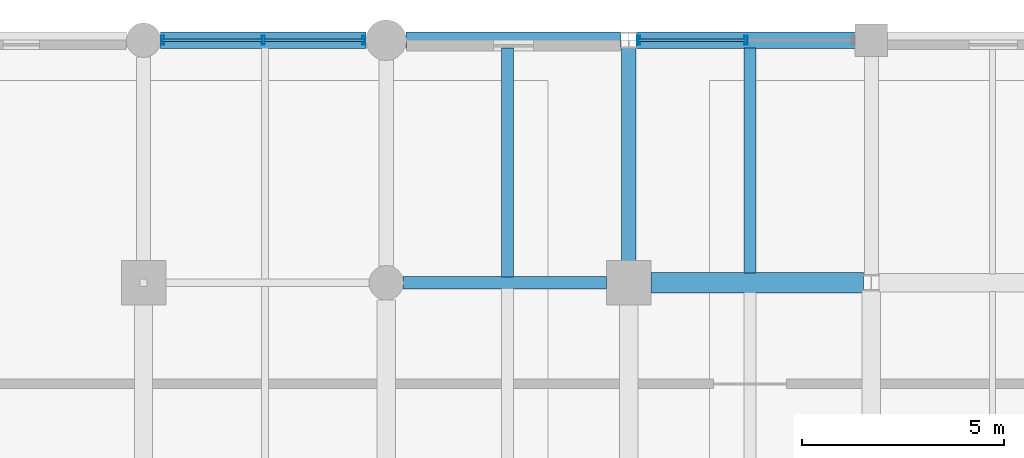
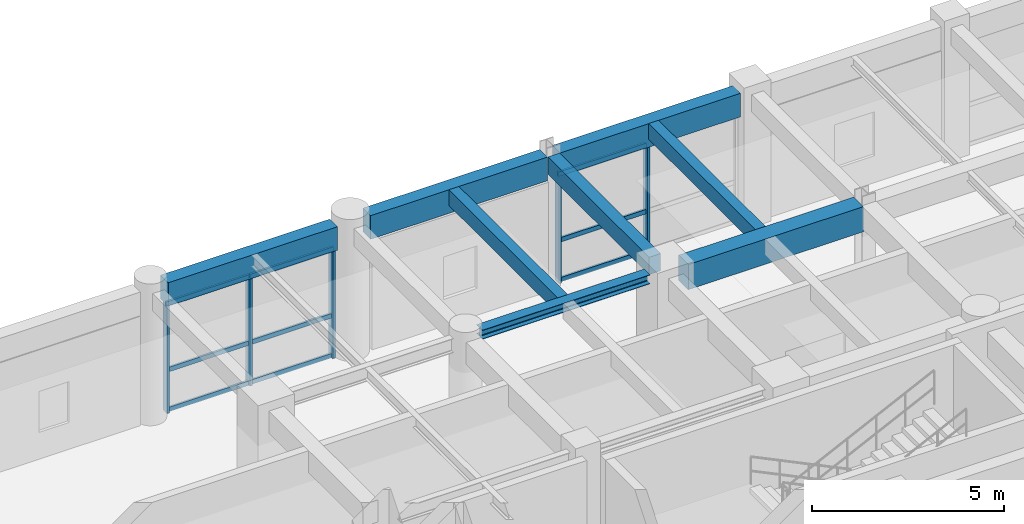
# One storey, part 53 of 133: 14 members, 8 beams, 2 elements without a shape of their own.
"""IFC4 building model written with IfcOpenShell, lengths in metres."""

from ifc_helpers import new_model, si_unit, direction, frame, origin, origin_2d, place, context, subcontext, project, spatial, rectangle, hollow_rectangle, i_section, extrude, material, material_profile, profile_set, type_object, element, aggregate, save


model = new_model("IFC4")

# Units and contexts
model_context = context("Model", 3, precision=1e-05, world=origin(), true_north=direction((0.0, 1.0)))
body_context = subcontext(model_context, "Body", "Model", "MODEL_VIEW")
ifc_project = project(units=[si_unit("LENGTHUNIT", "METRE"), si_unit("AREAUNIT", "SQUARE_METRE"), si_unit("VOLUMEUNIT", "CUBIC_METRE"), si_unit("PLANEANGLEUNIT", "RADIAN"), si_unit("MASSUNIT", "GRAM", prefix="KILO"), si_unit("THERMODYNAMICTEMPERATUREUNIT", "KELVIN"), si_unit("POWERUNIT", "WATT")], contexts=[model_context])

# Site, building, storey
site_placement = place(None, origin())
site = spatial("IfcSite", under=ifc_project, at=site_placement, CompositionType="ELEMENT")
building_placement = place(site_placement, origin())
building = spatial("IfcBuilding", under=site, at=building_placement, Name="Phaisarnlok Congress Hotel", CompositionType="ELEMENT")
storey_placement = place(building_placement, frame((0.0, 0.0, 6.0)))
storey = spatial("IfcBuildingStorey", under=building, at=storey_placement, Name="L01", CompositionType="ELEMENT", Elevation=6.0)

# Beams
ifc_material_1 = material(Name="Concrete C40/50", Category="concrete")
ifc_material_profile_1 = material_profile(ifc_material_1, rectangle(XDim=0.35009765625, YDim=0.550048828125, at=origin_2d()), Name="RC 350x550")
ifc_profile_set_1 = profile_set([ifc_material_profile_1], Name="Concrete C40/50")
beam_type_1 = type_object("IfcBeamType", Name="BM-RC-350x550", PredefinedType="BEAM", material=ifc_profile_set_1)
beam_1_placement = place(storey_placement, frame((108.0, 120.544921875, 3.945068359375), z_axis=(0.0, 1.0, 0.0), x_axis=(-1.0, 0.0, 0.0)))
element("IfcBeam", 1, at=beam_1_placement, inside=storey, type_object=beam_type_1, Name="Beam B-01", PredefinedType="BEAM", context=body_context, shape_type="SweptSolid", body=[
    extrude(rectangle(XDim=0.35009765625, YDim=0.550048828125, at=origin_2d()), origin(), (0.0, 0.0, 1.0), 5.260498046875),
])
ifc_material_profile_2 = material_profile(ifc_material_1, rectangle(XDim=0.5, YDim=0.800048828125, at=origin_2d()), Name="RC 500x800")
ifc_profile_set_2 = profile_set([ifc_material_profile_2], Name="Concrete C40/50")
beam_type_2 = type_object("IfcBeamType", Name="BM-RC-500x800", PredefinedType="BEAM", material=ifc_profile_set_2)
beam_2_placement = place(storey_placement, frame((108.544921875, 120.0, 3.820068359375), z_axis=(1.0, 0.0, 0.0), x_axis=(0.0, 1.0, 0.0)))
element("IfcBeam", 2, at=beam_2_placement, inside=storey, type_object=beam_type_2, Name="Beam B-04", PredefinedType="BEAM", context=body_context, shape_type="SweptSolid", body=[
    extrude(rectangle(XDim=0.5, YDim=0.800048828125, at=origin_2d()), origin(), (0.0, 0.0, 1.0), 5.259521484375),
])
ifc_material_2 = material(Name="Steel S355", Category="steel")
ifc_material_profile_3 = material_profile(ifc_material_2, i_section(OverallWidth=0.300048828125, OverallDepth=0.2900390625, WebThickness=0.008544921875, FlangeThickness=0.013916015625, FilletRadius=0.027099609375, at=origin_2d()), Name="HEA 300")
ifc_profile_set_3 = profile_set([ifc_material_profile_3], Name="Steel S355")
beam_type_3 = type_object("IfcBeamType", Name="BM-STL-HEA300", PredefinedType="BEAM", material=ifc_profile_set_3)
beam_3_placement = place(storey_placement, frame((102.419921875, 120.0, 4.074951171875), z_axis=(1.0, 0.0, 0.0), x_axis=(0.0, 1.0, 0.0)))
element("IfcBeam", 3, at=beam_3_placement, inside=storey, type_object=beam_type_3, Name="Beam SB-05", PredefinedType="BEAM", context=body_context, shape_type="SweptSolid", body=[
    extrude(i_section(OverallWidth=0.300048828125, OverallDepth=0.2900390625, WebThickness=0.008544921875, FlangeThickness=0.013916015625, FilletRadius=0.027099609375, at=origin_2d()), origin(), (0.0, 0.0, 1.0), 5.03515625),
])

# Curtain wall, members
ifc_material_3 = material(Name="Thermally Broken Unitised Aluminium & Low-E Glazing", Category="aluminium")
curtain_wall_type_1 = type_object("IfcCurtainWallType", Name="CW-UNIT-14", PredefinedType="NOTDEFINED", material=ifc_material_3)
curtain_wall_1_placement = place(storey_placement, origin())
curtain_wall_1 = element("IfcCurtainWall", 4, at=curtain_wall_1_placement, inside=storey, type_object=curtain_wall_type_1, Name="Unitised curtain wall CW-14 (L01)", PredefinedType="NOTDEFINED")
ifc_material_4 = material(Name="Anodised Aluminium Alloy 6063-T6", Category="aluminium")
ifc_material_profile_4 = material_profile(ifc_material_4, hollow_rectangle(XDim=0.074951171875, YDim=0.219970703125, WallThickness=0.0048828125, at=origin_2d()), Name="ALU-M 75x220x5")
ifc_profile_set_4 = profile_set([ifc_material_profile_4], Name="Anodised Aluminium Alloy 6063-T6")
member_type_1 = type_object("IfcMemberType", Name="CWM-220", PredefinedType="MULLION", material=ifc_profile_set_4)
member_1_placement = place(storey_placement, frame((110.900146484375, 126.0, 0.0), z_axis=(0.0, 0.0, 1.0), x_axis=(-1.0, 0.0, 0.0)))
member_1 = element("IfcMember", 5, at=member_1_placement, type_object=member_type_1, Name="Curtain wall mullion CWM-02", PredefinedType="MULLION", context=body_context, shape_type="SweptSolid", body=[
    extrude(hollow_rectangle(XDim=0.074951171875, YDim=0.219970703125, WallThickness=0.0048828125, at=origin_2d()), origin(), (0.0, 0.0, 1.0), 3.469970703125),
])
member_2_placement = place(storey_placement, frame((108.25048828125, 126.0, 0.0), z_axis=(0.0, 0.0, 1.0), x_axis=(-1.0, 0.0, 0.0)))
member_2 = element("IfcMember", 6, at=member_2_placement, type_object=member_type_1, Name="Curtain wall mullion CWM-02", PredefinedType="MULLION", context=body_context, shape_type="SweptSolid", body=[
    extrude(hollow_rectangle(XDim=0.074951171875, YDim=0.219970703125, WallThickness=0.0048828125, at=origin_2d()), origin(), (0.0, 0.0, 1.0), 3.469970703125),
])

curtain_wall_type_2 = type_object("IfcCurtainWallType", Name="CW-UNIT-12", PredefinedType="NOTDEFINED", material=ifc_material_3)
curtain_wall_2_placement = place(storey_placement, origin())
curtain_wall_2 = element("IfcCurtainWall", 7, at=curtain_wall_2_placement, inside=storey, type_object=curtain_wall_type_2, Name="Unitised curtain wall CW-12 (L01)", PredefinedType="NOTDEFINED")
member_3_placement = place(storey_placement, frame((101.449951171875, 126.0, 0.0), z_axis=(0.0, 0.0, 1.0), x_axis=(-1.0, 0.0, 0.0)))
member_3 = element("IfcMember", 8, at=member_3_placement, type_object=member_type_1, Name="Curtain wall mullion CWM-02", PredefinedType="MULLION", context=body_context, shape_type="SweptSolid", body=[
    extrude(hollow_rectangle(XDim=0.074951171875, YDim=0.219970703125, WallThickness=0.0048828125, at=origin_2d()), origin(), (0.0, 0.0, 1.0), 3.469970703125),
])
member_4_placement = place(storey_placement, frame((98.96240234375, 126.0, 0.0), z_axis=(0.0, 0.0, 1.0), x_axis=(-1.0, 0.0, 0.0)))
member_4 = element("IfcMember", 9, at=member_4_placement, type_object=member_type_1, Name="Curtain wall mullion CWM-02", PredefinedType="MULLION", context=body_context, shape_type="SweptSolid", body=[
    extrude(hollow_rectangle(XDim=0.074951171875, YDim=0.219970703125, WallThickness=0.0048828125, at=origin_2d()), origin(), (0.0, 0.0, 1.0), 3.469970703125),
])
member_5_placement = place(storey_placement, frame((96.47509765625, 126.0, 0.0), z_axis=(0.0, 0.0, 1.0), x_axis=(-1.0, 0.0, 0.0)))
member_5 = element("IfcMember", 10, at=member_5_placement, type_object=member_type_1, Name="Curtain wall mullion CWM-02", PredefinedType="MULLION", context=body_context, shape_type="SweptSolid", body=[
    extrude(hollow_rectangle(XDim=0.074951171875, YDim=0.219970703125, WallThickness=0.0048828125, at=origin_2d()), origin(), (0.0, 0.0, 1.0), 3.469970703125),
])

# Member
ifc_material_profile_5 = material_profile(ifc_material_4, hollow_rectangle(XDim=0.06494140625, YDim=0.139892578125, WallThickness=0.00390625, at=origin_2d()), Name="ALU-T 65x140x4")
ifc_profile_set_5 = profile_set([ifc_material_profile_5], Name="Anodised Aluminium Alloy 6063-T6")
member_type_2 = type_object("IfcMemberType", Name="CWT-150", PredefinedType="USERDEFINED", material=ifc_profile_set_5)
member_6_placement = place(storey_placement, frame((110.88525390625, 126.0, 0.050048828125), z_axis=(-1.0, 0.0, 0.0), x_axis=(0.0, -1.0, 0.0)))
member_6 = element("IfcMember", 11, at=member_6_placement, type_object=member_type_2, Name="Curtain wall transom CWT-01", ObjectType="TRANSOM", PredefinedType="USERDEFINED", context=body_context, shape_type="SweptSolid", body=[
    extrude(hollow_rectangle(XDim=0.06494140625, YDim=0.139892578125, WallThickness=0.00390625, at=origin_2d()), origin(), (0.0, 0.0, 1.0), 2.65966796875),
])

member_7_placement = place(storey_placement, frame((110.88525390625, 126.0, 1.318603515625), z_axis=(-1.0, 0.0, 0.0), x_axis=(0.0, -1.0, 0.0)))
member_7 = element("IfcMember", 12, at=member_7_placement, type_object=member_type_2, Name="Curtain wall transom CWT-01", ObjectType="TRANSOM", PredefinedType="USERDEFINED", context=body_context, shape_type="SweptSolid", body=[
    extrude(hollow_rectangle(XDim=0.06494140625, YDim=0.139892578125, WallThickness=0.00390625, at=origin_2d()), origin(), (0.0, 0.0, 1.0), 2.65966796875),
])

member_8_placement = place(storey_placement, frame((110.88525390625, 126.0, 3.419921875), z_axis=(-1.0, 0.0, 0.0), x_axis=(0.0, -1.0, 0.0)))
member_8 = element("IfcMember", 13, at=member_8_placement, type_object=member_type_2, Name="Curtain wall transom CWT-01", ObjectType="TRANSOM", PredefinedType="USERDEFINED", context=body_context, shape_type="SweptSolid", body=[
    extrude(hollow_rectangle(XDim=0.06494140625, YDim=0.139892578125, WallThickness=0.00390625, at=origin_2d()), origin(), (0.0, 0.0, 1.0), 2.65966796875),
])

aggregate(curtain_wall_1, [member_1, member_2, member_6, member_7, member_8])

member_9_placement = place(storey_placement, frame((101.47509765625, 126.0, 0.050048828125), z_axis=(-1.0, 0.0, 0.0), x_axis=(0.0, -1.0, 0.0)))
member_9 = element("IfcMember", 14, at=member_9_placement, type_object=member_type_2, Name="Curtain wall transom CWT-01", ObjectType="TRANSOM", PredefinedType="USERDEFINED", context=body_context, shape_type="SweptSolid", body=[
    extrude(hollow_rectangle(XDim=0.06494140625, YDim=0.139892578125, WallThickness=0.00390625, at=origin_2d()), origin(), (0.0, 0.0, 1.0), 2.49755859375),
])

member_10_placement = place(storey_placement, frame((101.47509765625, 126.0, 1.318603515625), z_axis=(-1.0, 0.0, 0.0), x_axis=(0.0, -1.0, 0.0)))
member_10 = element("IfcMember", 15, at=member_10_placement, type_object=member_type_2, Name="Curtain wall transom CWT-01", ObjectType="TRANSOM", PredefinedType="USERDEFINED", context=body_context, shape_type="SweptSolid", body=[
    extrude(hollow_rectangle(XDim=0.06494140625, YDim=0.139892578125, WallThickness=0.00390625, at=origin_2d()), origin(), (0.0, 0.0, 1.0), 2.49755859375),
])

member_11_placement = place(storey_placement, frame((101.47509765625, 126.0, 3.419921875), z_axis=(-1.0, 0.0, 0.0), x_axis=(0.0, -1.0, 0.0)))
member_11 = element("IfcMember", 16, at=member_11_placement, type_object=member_type_2, Name="Curtain wall transom CWT-01", ObjectType="TRANSOM", PredefinedType="USERDEFINED", context=body_context, shape_type="SweptSolid", body=[
    extrude(hollow_rectangle(XDim=0.06494140625, YDim=0.139892578125, WallThickness=0.00390625, at=origin_2d()), origin(), (0.0, 0.0, 1.0), 2.49755859375),
])

member_12_placement = place(storey_placement, frame((98.947509765625, 126.0, 0.050048828125), z_axis=(-1.0, 0.0, 0.0), x_axis=(0.0, -1.0, 0.0)))
member_12 = element("IfcMember", 17, at=member_12_placement, type_object=member_type_2, Name="Curtain wall transom CWT-01", ObjectType="TRANSOM", PredefinedType="USERDEFINED", context=body_context, shape_type="SweptSolid", body=[
    extrude(hollow_rectangle(XDim=0.06494140625, YDim=0.139892578125, WallThickness=0.00390625, at=origin_2d()), origin(), (0.0, 0.0, 1.0), 2.49755859375),
])

member_13_placement = place(storey_placement, frame((98.947509765625, 126.0, 1.318603515625), z_axis=(-1.0, 0.0, 0.0), x_axis=(0.0, -1.0, 0.0)))
member_13 = element("IfcMember", 18, at=member_13_placement, type_object=member_type_2, Name="Curtain wall transom CWT-01", ObjectType="TRANSOM", PredefinedType="USERDEFINED", context=body_context, shape_type="SweptSolid", body=[
    extrude(hollow_rectangle(XDim=0.06494140625, YDim=0.139892578125, WallThickness=0.00390625, at=origin_2d()), origin(), (0.0, 0.0, 1.0), 2.49755859375),
])

member_14_placement = place(storey_placement, frame((98.947509765625, 126.0, 3.419921875), z_axis=(-1.0, 0.0, 0.0), x_axis=(0.0, -1.0, 0.0)))
member_14 = element("IfcMember", 19, at=member_14_placement, type_object=member_type_2, Name="Curtain wall transom CWT-01", ObjectType="TRANSOM", PredefinedType="USERDEFINED", context=body_context, shape_type="SweptSolid", body=[
    extrude(hollow_rectangle(XDim=0.06494140625, YDim=0.139892578125, WallThickness=0.00390625, at=origin_2d()), origin(), (0.0, 0.0, 1.0), 2.49755859375),
])

aggregate(curtain_wall_2, [member_3, member_4, member_5, member_9, member_10, member_11, member_12, member_13, member_14])

# Beams
ifc_material_profile_6 = material_profile(ifc_material_1, rectangle(XDim=0.300048828125, YDim=0.5, at=origin_2d()), Name="RC 300x500")
ifc_profile_set_6 = profile_set([ifc_material_profile_6], Name="Concrete C40/50")
beam_type_4 = type_object("IfcBeamType", Name="JS-RC-300x500", PredefinedType="JOIST", material=ifc_profile_set_6)
beam_4_placement = place(storey_placement, frame((105.0, 120.14501953125, 3.969970703125), z_axis=(0.0, 1.0, 0.0), x_axis=(-1.0, 0.0, 0.0)))
element("IfcBeam", 20, at=beam_4_placement, inside=storey, type_object=beam_type_4, Name="Secondary floor joist J-01", PredefinedType="JOIST", context=body_context, shape_type="SweptSolid", body=[
    extrude(rectangle(XDim=0.300048828125, YDim=0.5, at=origin_2d()), origin(), (0.0, 0.0, 1.0), 5.659912109375),
])
beam_5_placement = place(storey_placement, frame((111.0, 120.2451171875, 3.969970703125), z_axis=(0.0, 1.0, 0.0), x_axis=(-1.0, 0.0, 0.0)))
element("IfcBeam", 21, at=beam_5_placement, inside=storey, type_object=beam_type_4, Name="Secondary floor joist J-01", PredefinedType="JOIST", context=body_context, shape_type="SweptSolid", body=[
    extrude(rectangle(XDim=0.300048828125, YDim=0.5, at=origin_2d()), origin(), (0.0, 0.0, 1.0), 5.559814453125),
])
ifc_material_profile_7 = material_profile(ifc_material_1, rectangle(XDim=0.39990234375, YDim=0.75, at=origin_2d()), Name="RC 400x750")
ifc_profile_set_7 = profile_set([ifc_material_profile_7], Name="Concrete C40/50")
beam_type_5 = type_object("IfcBeamType", Name="SP-RC-400x750", PredefinedType="SPANDREL", material=ifc_profile_set_7)
beam_6_placement = place(storey_placement, frame((96.419921875, 126.0, 3.844970703125), z_axis=(1.0, 0.0, 0.0), x_axis=(0.0, 1.0, 0.0)))
element("IfcBeam", 22, at=beam_6_placement, inside=storey, type_object=beam_type_5, Name="Beam SP-02", PredefinedType="SPANDREL", context=body_context, shape_type="SweptSolid", body=[
    extrude(rectangle(XDim=0.39990234375, YDim=0.75, at=origin_2d()), origin(), (0.0, 0.0, 1.0), 5.0849609375),
])
beam_7_placement = place(storey_placement, frame((102.4951171875, 126.0, 3.844970703125), z_axis=(1.0, 0.0, 0.0), x_axis=(0.0, 1.0, 0.0)))
element("IfcBeam", 23, at=beam_7_placement, inside=storey, type_object=beam_type_5, Name="Beam SP-02", PredefinedType="SPANDREL", context=body_context, shape_type="SweptSolid", body=[
    extrude(rectangle(XDim=0.39990234375, YDim=0.75, at=origin_2d()), origin(), (0.0, 0.0, 1.0), 5.309326171875),
])
beam_8_placement = place(storey_placement, frame((108.195556640625, 126.0, 3.844970703125), z_axis=(1.0, 0.0, 0.0), x_axis=(0.0, 1.0, 0.0)))
element("IfcBeam", 24, at=beam_8_placement, inside=storey, type_object=beam_type_5, Name="Beam SP-02", PredefinedType="SPANDREL", context=body_context, shape_type="SweptSolid", body=[
    extrude(rectangle(XDim=0.39990234375, YDim=0.75, at=origin_2d()), origin(), (0.0, 0.0, 1.0), 5.409423828125),
])

save(model, "model.ifc")
